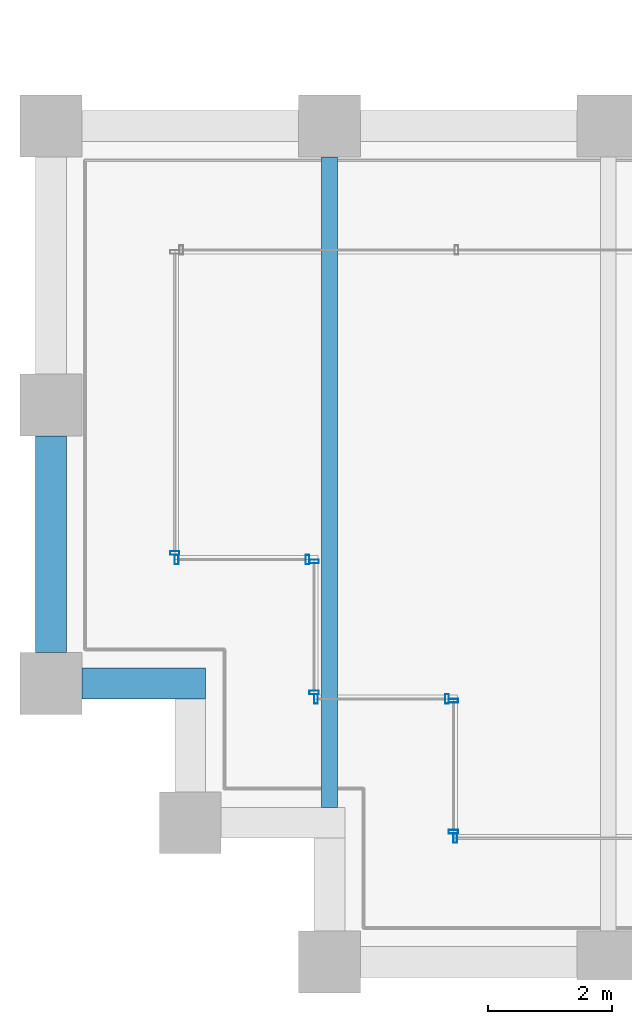
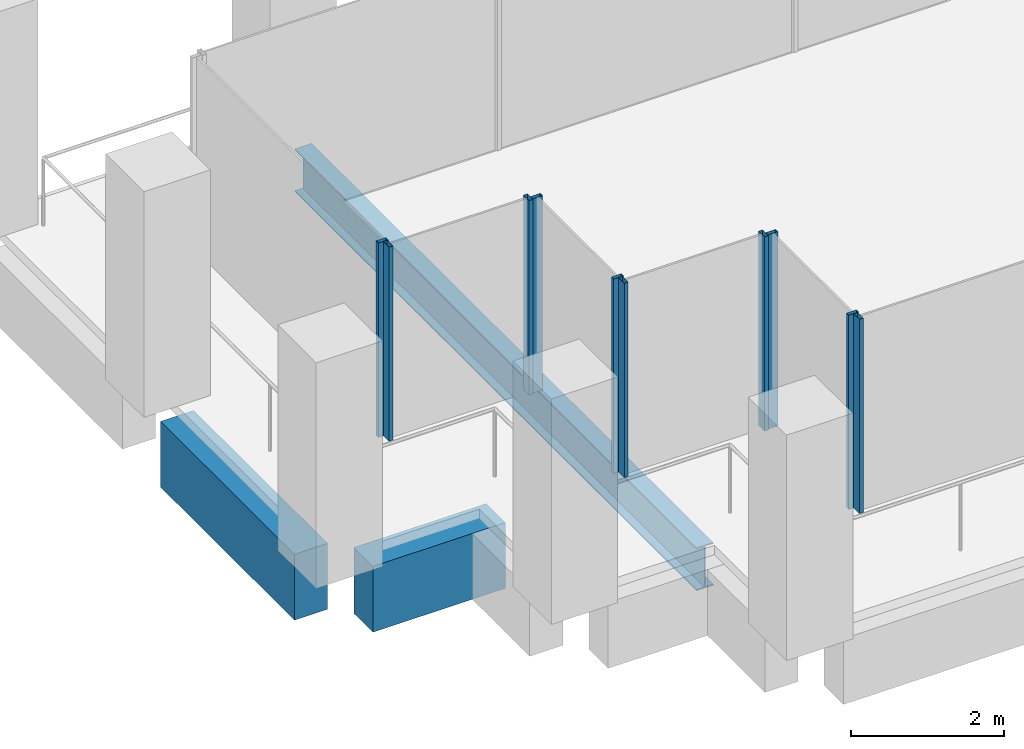
# One storey, part 2 of 46: 10 members, 3 beams, 6 elements without a shape of their own.
"""IFC4 building model written with IfcOpenShell, lengths in metres."""

from ifc_helpers import new_model, si_unit, direction, frame, origin, origin_2d, place, context, subcontext, project, spatial, rectangle, hollow_rectangle, i_section, extrude, material, material_profile, profile_set, type_object, element, aggregate, save


model = new_model("IFC4")

# Units and contexts
model_context = context("Model", 3, precision=1e-05, world=origin(), true_north=direction((0.0, 1.0)))
body_context = subcontext(model_context, "Body", "Model", "MODEL_VIEW")
ifc_project = project(units=[si_unit("LENGTHUNIT", "METRE"), si_unit("AREAUNIT", "SQUARE_METRE"), si_unit("VOLUMEUNIT", "CUBIC_METRE"), si_unit("PLANEANGLEUNIT", "RADIAN"), si_unit("MASSUNIT", "GRAM", prefix="KILO")], contexts=[model_context])

# Site, building, storey
site_placement = place(None, origin())
site = spatial("IfcSite", under=ifc_project, at=site_placement, CompositionType="ELEMENT")
building_placement = place(site_placement, origin())
building = spatial("IfcBuilding", under=site, at=building_placement, Name="Altepetl Exchange Towers", CompositionType="ELEMENT")
storey_placement = place(building_placement, frame((0.0, 0.0, 106.39990234375)))
storey = spatial("IfcBuildingStorey", under=building, at=storey_placement, Name="L26", CompositionType="ELEMENT", Elevation=106.39990234375)

# Beam
ifc_material_1 = material(Name="Steel S355", Category="steel")
ifc_material_profile_1 = material_profile(ifc_material_1, i_section(OverallWidth=0.25390625, OverallDepth=0.68408203125, WebThickness=0.012451171875, FlangeThickness=0.018798828125, at=origin_2d()), Name="W27X94")
ifc_profile_set_1 = profile_set([ifc_material_profile_1], Name="Steel S355")
beam_type_1 = type_object("IfcBeamType", Name="Floor beam W27X94", PredefinedType="BEAM", material=ifc_profile_set_1)
beam_1_placement = place(storey_placement, frame((31.5, 29.5, -0.491943359375), z_axis=(0.0, 1.0, 0.0), x_axis=(-1.0, 0.0, 0.0)))
element("IfcBeam", 1, at=beam_1_placement, inside=storey, type_object=beam_type_1, Name="bm:A:L26:012", PredefinedType="BEAM", context=body_context, shape_type="SweptSolid", body=[
    extrude(i_section(OverallWidth=0.25390625, OverallDepth=0.68408203125, WebThickness=0.012451171875, FlangeThickness=0.018798828125, at=origin_2d()), origin(), (0.0, 0.0, 1.0), 10.5),
])

# Curtain wall, member
ifc_material_2 = material(Name="Aluminium 6063-T6 glazing", Category="aluminium")
curtain_wall_type = type_object("IfcCurtainWallType", Name="Loggia glazing system", PredefinedType="NOTDEFINED", material=ifc_material_2)
curtain_wall_1_placement = place(storey_placement, origin())
curtain_wall_1 = element("IfcCurtainWall", 2, at=curtain_wall_1_placement, inside=storey, type_object=curtain_wall_type, Name="CW1 run", PredefinedType="NOTDEFINED")
ifc_material_3 = material(Name="Aluminium 6063-T6", Category="aluminium")
ifc_material_profile_2 = material_profile(ifc_material_3, hollow_rectangle(XDim=0.06005859375, YDim=0.14990234375, WallThickness=0.0029296875, at=origin_2d()), Name="Mullion 60x150 aluminium")
ifc_profile_set_2 = profile_set([ifc_material_profile_2], Name="Aluminium 6063-T6")
member_type = type_object("IfcMemberType", Name="Mullion 60x150 aluminium", PredefinedType="MULLION", material=ifc_profile_set_2)
member_1_placement = place(storey_placement, frame((29.0, 33.60498046875, 0.0), z_axis=(0.0, 0.0, 1.0), x_axis=(0.0, -1.0, 0.0)))
member_1 = element("IfcMember", 3, at=member_1_placement, type_object=member_type, Name="MU1 mullion", PredefinedType="MULLION", context=body_context, shape_type="SweptSolid", body=[
    extrude(hollow_rectangle(XDim=0.06005859375, YDim=0.14990234375, WallThickness=0.0029296875, at=origin_2d()), origin(), (0.0, 0.0, 1.0), 3.10009765625),
])
aggregate(curtain_wall_1, [member_1])

# Curtain wall, members
curtain_wall_2_placement = place(storey_placement, origin())
curtain_wall_2 = element("IfcCurtainWall", 4, at=curtain_wall_2_placement, inside=storey, type_object=curtain_wall_type, Name="CW1 run", PredefinedType="NOTDEFINED")
member_2_placement = place(storey_placement, frame((29.030029296875, 33.5, 0.0)))
member_2 = element("IfcMember", 5, at=member_2_placement, type_object=member_type, Name="MU1 mullion", PredefinedType="MULLION", context=body_context, shape_type="SweptSolid", body=[
    extrude(hollow_rectangle(XDim=0.06005859375, YDim=0.14990234375, WallThickness=0.0029296875, at=origin_2d()), origin(), (0.0, 0.0, 1.0), 3.10009765625),
])
member_3_placement = place(storey_placement, frame((31.14501953125, 33.5, 0.0)))
member_3 = element("IfcMember", 6, at=member_3_placement, type_object=member_type, Name="MU1 mullion", PredefinedType="MULLION", context=body_context, shape_type="SweptSolid", body=[
    extrude(hollow_rectangle(XDim=0.06005859375, YDim=0.14990234375, WallThickness=0.0029296875, at=origin_2d()), origin(), (0.0, 0.0, 1.0), 3.10009765625),
])
aggregate(curtain_wall_2, [member_2, member_3])

curtain_wall_3_placement = place(storey_placement, origin())
curtain_wall_3 = element("IfcCurtainWall", 7, at=curtain_wall_3_placement, inside=storey, type_object=curtain_wall_type, Name="CW1 run", PredefinedType="NOTDEFINED")
member_4_placement = place(storey_placement, frame((31.25, 33.469970703125, 0.0), z_axis=(0.0, 0.0, 1.0), x_axis=(0.0, -1.0, 0.0)))
member_4 = element("IfcMember", 8, at=member_4_placement, type_object=member_type, Name="MU1 mullion", PredefinedType="MULLION", context=body_context, shape_type="SweptSolid", body=[
    extrude(hollow_rectangle(XDim=0.06005859375, YDim=0.14990234375, WallThickness=0.0029296875, at=origin_2d()), origin(), (0.0, 0.0, 1.0), 3.10009765625),
])
member_5_placement = place(storey_placement, frame((31.25, 31.35498046875, 0.0), z_axis=(0.0, 0.0, 1.0), x_axis=(0.0, -1.0, 0.0)))
member_5 = element("IfcMember", 9, at=member_5_placement, type_object=member_type, Name="MU1 mullion", PredefinedType="MULLION", context=body_context, shape_type="SweptSolid", body=[
    extrude(hollow_rectangle(XDim=0.06005859375, YDim=0.14990234375, WallThickness=0.0029296875, at=origin_2d()), origin(), (0.0, 0.0, 1.0), 3.10009765625),
])
aggregate(curtain_wall_3, [member_4, member_5])

curtain_wall_4_placement = place(storey_placement, origin())
curtain_wall_4 = element("IfcCurtainWall", 10, at=curtain_wall_4_placement, inside=storey, type_object=curtain_wall_type, Name="CW1 run", PredefinedType="NOTDEFINED")
member_6_placement = place(storey_placement, frame((31.280029296875, 31.25, 0.0)))
member_6 = element("IfcMember", 11, at=member_6_placement, type_object=member_type, Name="MU1 mullion", PredefinedType="MULLION", context=body_context, shape_type="SweptSolid", body=[
    extrude(hollow_rectangle(XDim=0.06005859375, YDim=0.14990234375, WallThickness=0.0029296875, at=origin_2d()), origin(), (0.0, 0.0, 1.0), 3.10009765625),
])
member_7_placement = place(storey_placement, frame((33.39501953125, 31.25, 0.0)))
member_7 = element("IfcMember", 12, at=member_7_placement, type_object=member_type, Name="MU1 mullion", PredefinedType="MULLION", context=body_context, shape_type="SweptSolid", body=[
    extrude(hollow_rectangle(XDim=0.06005859375, YDim=0.14990234375, WallThickness=0.0029296875, at=origin_2d()), origin(), (0.0, 0.0, 1.0), 3.10009765625),
])
aggregate(curtain_wall_4, [member_6, member_7])

curtain_wall_5_placement = place(storey_placement, origin())
curtain_wall_5 = element("IfcCurtainWall", 13, at=curtain_wall_5_placement, inside=storey, type_object=curtain_wall_type, Name="CW1 run", PredefinedType="NOTDEFINED")
member_8_placement = place(storey_placement, frame((33.5, 31.219970703125, 0.0), z_axis=(0.0, 0.0, 1.0), x_axis=(0.0, -1.0, 0.0)))
member_8 = element("IfcMember", 14, at=member_8_placement, type_object=member_type, Name="MU1 mullion", PredefinedType="MULLION", context=body_context, shape_type="SweptSolid", body=[
    extrude(hollow_rectangle(XDim=0.06005859375, YDim=0.14990234375, WallThickness=0.0029296875, at=origin_2d()), origin(), (0.0, 0.0, 1.0), 3.10009765625),
])
member_9_placement = place(storey_placement, frame((33.5, 29.10498046875, 0.0), z_axis=(0.0, 0.0, 1.0), x_axis=(0.0, -1.0, 0.0)))
member_9 = element("IfcMember", 15, at=member_9_placement, type_object=member_type, Name="MU1 mullion", PredefinedType="MULLION", context=body_context, shape_type="SweptSolid", body=[
    extrude(hollow_rectangle(XDim=0.06005859375, YDim=0.14990234375, WallThickness=0.0029296875, at=origin_2d()), origin(), (0.0, 0.0, 1.0), 3.10009765625),
])
aggregate(curtain_wall_5, [member_8, member_9])

# Curtain wall, member
curtain_wall_6_placement = place(storey_placement, origin())
curtain_wall_6 = element("IfcCurtainWall", 16, at=curtain_wall_6_placement, inside=storey, type_object=curtain_wall_type, Name="CW1 run", PredefinedType="NOTDEFINED")
member_10_placement = place(storey_placement, frame((33.530029296875, 29.0, 0.0)))
member_10 = element("IfcMember", 17, at=member_10_placement, type_object=member_type, Name="MU1 mullion", PredefinedType="MULLION", context=body_context, shape_type="SweptSolid", body=[
    extrude(hollow_rectangle(XDim=0.06005859375, YDim=0.14990234375, WallThickness=0.0029296875, at=origin_2d()), origin(), (0.0, 0.0, 1.0), 3.10009765625),
])
aggregate(curtain_wall_6, [member_10])

# Beams
ifc_material_4 = material(Name="Concrete C50/60 precast with cantera blanca facing", Category="concrete")
ifc_material_profile_3 = material_profile(ifc_material_4, rectangle(XDim=0.5, YDim=1.050048828125, at=origin_2d()), Name="500 x 1050")
ifc_profile_set_3 = profile_set([ifc_material_profile_3], Name="Concrete C50/60 precast with cantera blanca facing")
beam_type_2 = type_object("IfcBeamType", Name="Spandrel beam 500x1050 cantera blanca", PredefinedType="SPANDREL", material=ifc_profile_set_3)
beam_2_placement = place(storey_placement, frame((27.0, 35.5, -0.6748046875), z_axis=(0.0, -1.0, 0.0), x_axis=(1.0, 0.0, 0.0)))
element("IfcBeam", 18, at=beam_2_placement, inside=storey, type_object=beam_type_2, Name="sp:A:L26:037", PredefinedType="SPANDREL", context=body_context, shape_type="SweptSolid", body=[
    extrude(rectangle(XDim=0.5, YDim=1.050048828125, at=origin_2d()), origin(), (0.0, 0.0, 1.0), 3.5),
])
beam_3_placement = place(storey_placement, frame((27.5, 31.5, -0.6748046875), z_axis=(1.0, 0.0, 0.0), x_axis=(0.0, 1.0, 0.0)))
element("IfcBeam", 19, at=beam_3_placement, inside=storey, type_object=beam_type_2, Name="sp:A:L26:038", PredefinedType="SPANDREL", context=body_context, shape_type="SweptSolid", body=[
    extrude(rectangle(XDim=0.5, YDim=1.050048828125, at=origin_2d()), origin(), (0.0, 0.0, 1.0), 2.0),
])

save(model, "model.ifc")
